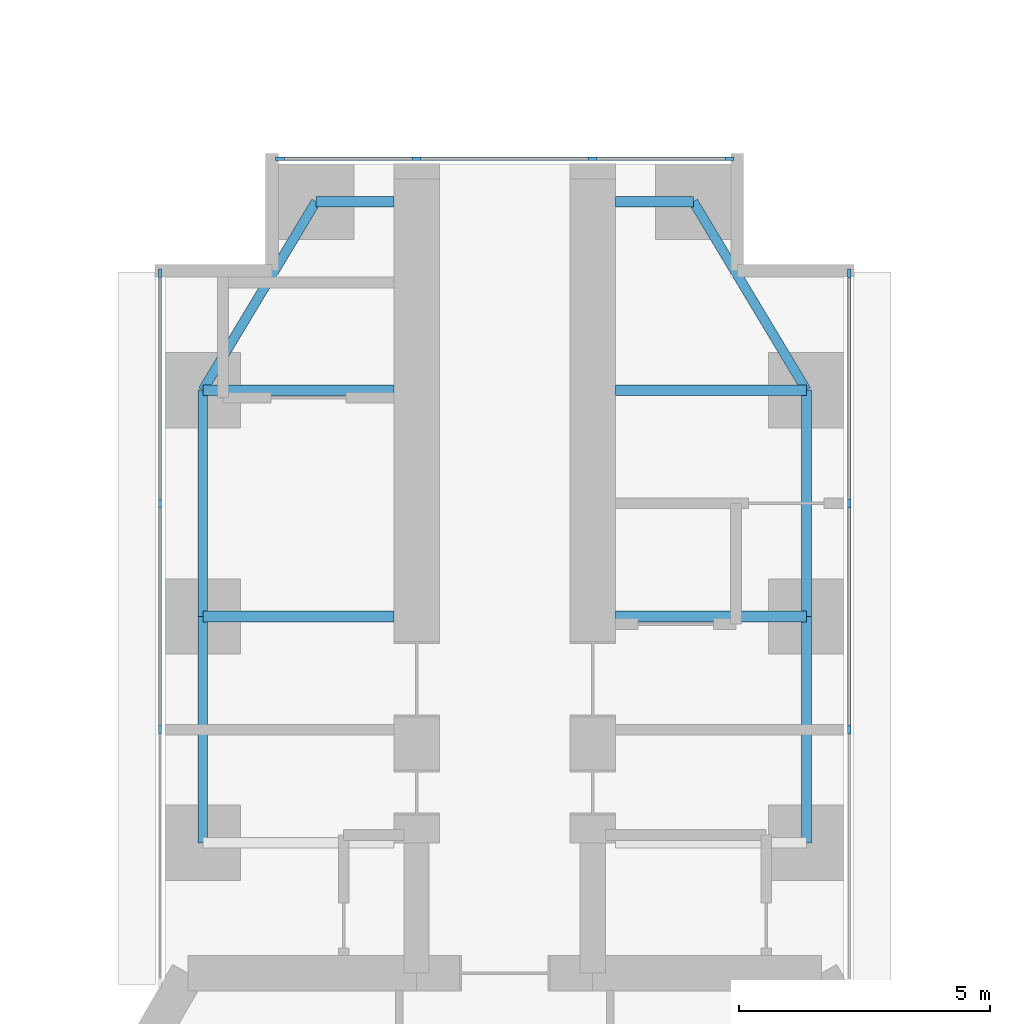
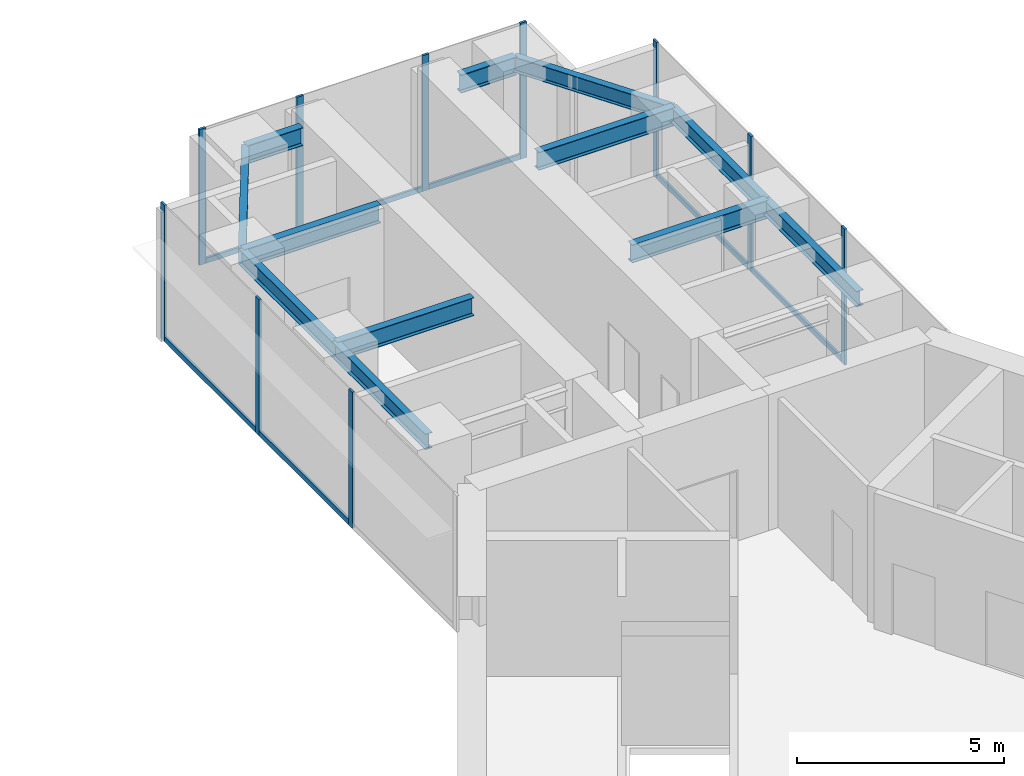
# One storey, part 13 of 22: 17 members, 12 beams, 3 elements without a shape of their own.
"""IFC4 building model written with IfcOpenShell, lengths in metres."""

from ifc_helpers import new_model, si_unit, direction, frame, origin, origin_2d, place, context, subcontext, project, spatial, rectangle, i_section, extrude, material, material_profile, profile_set, type_object, element, aggregate, save


model = new_model("IFC4")

# Units and contexts
model_context = context("Model", 3, precision=1e-05, world=origin(), true_north=direction((0.0, 1.0)))
body_context = subcontext(model_context, "Body", "Model", "MODEL_VIEW")
ifc_project = project(units=[si_unit("LENGTHUNIT", "METRE"), si_unit("AREAUNIT", "SQUARE_METRE"), si_unit("VOLUMEUNIT", "CUBIC_METRE"), si_unit("PLANEANGLEUNIT", "RADIAN"), si_unit("MASSUNIT", "GRAM", prefix="KILO")], contexts=[model_context])

# Site, building, storey
site_placement = place(None, origin())
site = spatial("IfcSite", under=ifc_project, at=site_placement, CompositionType="ELEMENT")
building_placement = place(site_placement, origin())
building = spatial("IfcBuilding", under=site, at=building_placement, Name="Upepo Twin Towers", CompositionType="ELEMENT")
storey_placement = place(building_placement, frame((0.0, 0.0, 44.5)))
storey = spatial("IfcBuildingStorey", under=building, at=storey_placement, Name="L10", CompositionType="ELEMENT", Elevation=44.5)

# Beams
ifc_material_1 = material(Name="Steel S355", Category="steel")
ifc_material_profile_1 = material_profile(ifc_material_1, i_section(OverallWidth=0.1904296875, OverallDepth=0.45703125, WebThickness=0.009033203125, FlangeThickness=0.014404296875, FilletRadius=0.01025390625, at=origin_2d()), Name="UB 457x191x74")
ifc_profile_set_1 = profile_set([ifc_material_profile_1], Name="Steel S355")
beam_type_1 = type_object("IfcBeamType", Name="Beam UB 457x191x74", PredefinedType="BEAM", material=ifc_profile_set_1)
for number, where, z_axis, x_axis, name in (
    (1, (52.5, -4.5, 3.571533203125), (0.0, 1.0, 0.0), (-1.0, 0.0, 0.0), "T2 edge beam AL 13.5-18.0"),
    (2, (52.5, 0.0, 3.571533203125), (0.0, 1.0, 0.0), (-1.0, 0.0, 0.0), "T2 edge beam AL 18.0-22.5"),
):
    element("IfcBeam", number, at=place(storey_placement, frame(where, z_axis=z_axis, x_axis=x_axis)), inside=storey, type_object=beam_type_1, Name=name, PredefinedType="BEAM", context=body_context, shape_type="SweptSolid", body=[
        extrude(i_section(OverallWidth=0.1904296875, OverallDepth=0.45703125, WebThickness=0.009033203125, FlangeThickness=0.014404296875, FilletRadius=0.01025390625, at=origin_2d()), origin(), (0.0, 0.0, 1.0), 4.5),
    ])
beam_1_placement = place(storey_placement, frame((52.5, 4.5, 3.571533203125), z_axis=(0.514495755428, 0.857492925713, 0.0), x_axis=(-0.857492925713, 0.514495755428, 0.0)))
element("IfcBeam", 3, at=beam_1_placement, inside=storey, type_object=beam_type_1, Name="T2 nose edge beam AL", PredefinedType="BEAM", context=body_context, shape_type="SweptSolid", body=[
    extrude(i_section(OverallWidth=0.1904296875, OverallDepth=0.45703125, WebThickness=0.009033203125, FlangeThickness=0.014404296875, FilletRadius=0.01025390625, at=origin_2d()), origin(), (0.0, 0.0, 1.0), 4.373291015625),
])
for number, where, z_axis, x_axis, name in (
    (4, (64.5, -4.5, 3.571533203125), (0.0, 1.0, 0.0), (-1.0, 0.0, 0.0), "T2 edge beam AR 13.5-18.0"),
    (5, (64.5, 0.0, 3.571533203125), (0.0, 1.0, 0.0), (-1.0, 0.0, 0.0), "T2 edge beam AR 18.0-22.5"),
):
    element("IfcBeam", number, at=place(storey_placement, frame(where, z_axis=z_axis, x_axis=x_axis)), inside=storey, type_object=beam_type_1, Name=name, PredefinedType="BEAM", context=body_context, shape_type="SweptSolid", body=[
        extrude(i_section(OverallWidth=0.1904296875, OverallDepth=0.45703125, WebThickness=0.009033203125, FlangeThickness=0.014404296875, FilletRadius=0.01025390625, at=origin_2d()), origin(), (0.0, 0.0, 1.0), 4.5),
    ])
beam_2_placement = place(storey_placement, frame((64.5, 4.5, 3.571533203125), z_axis=(-0.514495755428, 0.857492925713, 0.0), x_axis=(-0.857492925713, -0.514495755428, 0.0)))
element("IfcBeam", 6, at=beam_2_placement, inside=storey, type_object=beam_type_1, Name="T2 nose edge beam AR", PredefinedType="BEAM", context=body_context, shape_type="SweptSolid", body=[
    extrude(i_section(OverallWidth=0.1904296875, OverallDepth=0.45703125, WebThickness=0.009033203125, FlangeThickness=0.014404296875, FilletRadius=0.01025390625, at=origin_2d()), origin(), (0.0, 0.0, 1.0), 4.373291015625),
])
ifc_material_2 = material(Name="Steel S355", Category="steel")
ifc_material_profile_2 = material_profile(ifc_material_2, i_section(OverallWidth=0.2099609375, OverallDepth=0.53662109375, WebThickness=0.0107421875, FlangeThickness=0.017333984375, FilletRadius=0.0126953125, at=origin_2d()), Name="UB 533x210x101")
ifc_profile_set_2 = profile_set([ifc_material_profile_2], Name="Steel S355")
beam_type_2 = type_object("IfcBeamType", Name="Beam UB 533x210x101", PredefinedType="BEAM", material=ifc_profile_set_2)
for number, where, z_axis, x_axis, name in (
    (7, (54.75, 8.25, 3.53173828125), (1.0, 0.0, 0.0), (0.0, 1.0, 0.0), "T2 nose beam AL"),
    (8, (62.25, 8.25, 3.53173828125), (-1.0, 0.0, 0.0), (0.0, -1.0, 0.0), "T2 nose beam AR"),
):
    element("IfcBeam", number, at=place(storey_placement, frame(where, z_axis=z_axis, x_axis=x_axis)), inside=storey, type_object=beam_type_2, Name=name, PredefinedType="BEAM", context=body_context, shape_type="SweptSolid", body=[
        extrude(i_section(OverallWidth=0.2099609375, OverallDepth=0.53662109375, WebThickness=0.0107421875, FlangeThickness=0.017333984375, FilletRadius=0.0126953125, at=origin_2d()), origin(), (0.0, 0.0, 1.0), 1.550048828125),
    ])
ifc_material_3 = material(Name="Steel S355", Category="steel")
ifc_material_profile_3 = material_profile(ifc_material_3, i_section(OverallWidth=0.209228515625, OverallDepth=0.533203125, WebThickness=0.010009765625, FlangeThickness=0.015625, FilletRadius=0.0126953125, at=origin_2d()), Name="UB 533x210x92")
ifc_profile_set_3 = profile_set([ifc_material_profile_3], Name="Steel S355")
beam_type_3 = type_object("IfcBeamType", Name="Beam UB 533x210x92", PredefinedType="BEAM", material=ifc_profile_set_3)
for number, where, z_axis, x_axis, name in (
    (9, (52.5, 0.0, 3.533447265625), (1.0, 0.0, 0.0), (0.0, 1.0, 0.0), "T2 girder AL at 18.0"),
    (10, (52.5, 4.5, 3.533447265625), (1.0, 0.0, 0.0), (0.0, 1.0, 0.0), "T2 girder AL at 22.5"),
    (11, (64.5, 0.0, 3.533447265625), (-1.0, 0.0, 0.0), (0.0, -1.0, 0.0), "T2 girder AR at 18.0"),
    (12, (64.5, 4.5, 3.533447265625), (-1.0, 0.0, 0.0), (0.0, -1.0, 0.0), "T2 girder AR at 22.5"),
):
    element("IfcBeam", number, at=place(storey_placement, frame(where, z_axis=z_axis, x_axis=x_axis)), inside=storey, type_object=beam_type_3, Name=name, PredefinedType="BEAM", context=body_context, shape_type="SweptSolid", body=[
        extrude(i_section(OverallWidth=0.209228515625, OverallDepth=0.533203125, WebThickness=0.010009765625, FlangeThickness=0.015625, FilletRadius=0.0126953125, at=origin_2d()), origin(), (0.0, 0.0, 1.0), 3.800048828125),
    ])

# Curtain wall, members
ifc_material_4 = material(Name="Aluminium and fritted glass", Category="aluminium")
curtain_wall_type = type_object("IfcCurtainWallType", Name="Tower curtain wall TW1, fritted glass", PredefinedType="NOTDEFINED", material=ifc_material_4)
curtain_wall_1_placement = place(storey_placement, origin())
curtain_wall_1 = element("IfcCurtainWall", 13, at=curtain_wall_1_placement, inside=storey, type_object=curtain_wall_type, Name="T2 L10 wing A flank L curtain wall", PredefinedType="NOTDEFINED")
ifc_material_5 = material(Name="Aluminium mullion", Category="aluminium")
ifc_material_profile_4 = material_profile(ifc_material_5, rectangle(XDim=0.06494140625, YDim=0.179931640625, at=origin_2d()), Name="MULLION 65x180")
ifc_profile_set_4 = profile_set([ifc_material_profile_4], Name="Aluminium mullion")
member_type_1 = type_object("IfcMemberType", Name="Mullion 65x180 TW1", PredefinedType="MULLION", material=ifc_profile_set_4)
member_1_placement = place(storey_placement, frame((51.64990234375, -2.25, 0.0), z_axis=(0.0, 0.0, 1.0), x_axis=(-1.0, 0.0, 0.0)))
member_1 = element("IfcMember", 14, at=member_1_placement, type_object=member_type_1, Name="T2 L10 wing A flank L curtain wall mullion 2", PredefinedType="MULLION", context=body_context, shape_type="SweptSolid", body=[
    extrude(rectangle(XDim=0.06494140625, YDim=0.179931640625, at=origin_2d()), origin(), (0.0, 0.0, 1.0), 4.0),
])
member_2_placement = place(storey_placement, frame((51.64990234375, 2.25, 0.0), z_axis=(0.0, 0.0, 1.0), x_axis=(-1.0, 0.0, 0.0)))
member_2 = element("IfcMember", 15, at=member_2_placement, type_object=member_type_1, Name="T2 L10 wing A flank L curtain wall mullion 3", PredefinedType="MULLION", context=body_context, shape_type="SweptSolid", body=[
    extrude(rectangle(XDim=0.06494140625, YDim=0.179931640625, at=origin_2d()), origin(), (0.0, 0.0, 1.0), 4.0),
])
member_3_placement = place(storey_placement, frame((51.64990234375, 6.8173828125, 0.0), z_axis=(0.0, 0.0, 1.0), x_axis=(-1.0, 0.0, 0.0)))
member_3 = element("IfcMember", 16, at=member_3_placement, type_object=member_type_1, Name="T2 L10 wing A flank L curtain wall mullion 4", PredefinedType="MULLION", context=body_context, shape_type="SweptSolid", body=[
    extrude(rectangle(XDim=0.06494140625, YDim=0.179931640625, at=origin_2d()), origin(), (0.0, 0.0, 1.0), 4.0),
])

curtain_wall_2_placement = place(storey_placement, origin())
curtain_wall_2 = element("IfcCurtainWall", 17, at=curtain_wall_2_placement, inside=storey, type_object=curtain_wall_type, Name="T2 L10 wing A flank R curtain wall", PredefinedType="NOTDEFINED")
member_4_placement = place(storey_placement, frame((65.35009765625, 6.8173828125, 0.0), z_axis=(0.0, 0.0, 1.0), x_axis=(1.0, 0.0, 0.0)))
member_4 = element("IfcMember", 18, at=member_4_placement, type_object=member_type_1, Name="T2 L10 wing A flank R curtain wall mullion 1", PredefinedType="MULLION", context=body_context, shape_type="SweptSolid", body=[
    extrude(rectangle(XDim=0.06494140625, YDim=0.179931640625, at=origin_2d()), origin(), (0.0, 0.0, 1.0), 4.0),
])
member_5_placement = place(storey_placement, frame((65.35009765625, 2.25, 0.0), z_axis=(0.0, 0.0, 1.0), x_axis=(1.0, 0.0, 0.0)))
member_5 = element("IfcMember", 19, at=member_5_placement, type_object=member_type_1, Name="T2 L10 wing A flank R curtain wall mullion 2", PredefinedType="MULLION", context=body_context, shape_type="SweptSolid", body=[
    extrude(rectangle(XDim=0.06494140625, YDim=0.179931640625, at=origin_2d()), origin(), (0.0, 0.0, 1.0), 4.0),
])
member_6_placement = place(storey_placement, frame((65.35009765625, -2.25, 0.0), z_axis=(0.0, 0.0, 1.0), x_axis=(1.0, 0.0, 0.0)))
member_6 = element("IfcMember", 20, at=member_6_placement, type_object=member_type_1, Name="T2 L10 wing A flank R curtain wall mullion 3", PredefinedType="MULLION", context=body_context, shape_type="SweptSolid", body=[
    extrude(rectangle(XDim=0.06494140625, YDim=0.179931640625, at=origin_2d()), origin(), (0.0, 0.0, 1.0), 4.0),
])

curtain_wall_3_placement = place(storey_placement, origin())
curtain_wall_3 = element("IfcCurtainWall", 21, at=curtain_wall_3_placement, inside=storey, type_object=curtain_wall_type, Name="T2 L10 wing A nose curtain wall", PredefinedType="NOTDEFINED")
member_7_placement = place(storey_placement, frame((62.967529296875, 9.10009765625, 0.0), z_axis=(0.0, 0.0, 1.0), x_axis=(0.0, -1.0, 0.0)))
member_7 = element("IfcMember", 22, at=member_7_placement, type_object=member_type_1, Name="T2 L10 wing A nose curtain wall mullion 1", PredefinedType="MULLION", context=body_context, shape_type="SweptSolid", body=[
    extrude(rectangle(XDim=0.06494140625, YDim=0.179931640625, at=origin_2d()), origin(), (0.0, 0.0, 1.0), 4.0),
])
member_8_placement = place(storey_placement, frame((60.25, 9.10009765625, 0.0), z_axis=(0.0, 0.0, 1.0), x_axis=(0.0, -1.0, 0.0)))
member_8 = element("IfcMember", 23, at=member_8_placement, type_object=member_type_1, Name="T2 L10 wing A nose curtain wall mullion 2", PredefinedType="MULLION", context=body_context, shape_type="SweptSolid", body=[
    extrude(rectangle(XDim=0.06494140625, YDim=0.179931640625, at=origin_2d()), origin(), (0.0, 0.0, 1.0), 4.0),
])
member_9_placement = place(storey_placement, frame((56.75, 9.10009765625, 0.0), z_axis=(0.0, 0.0, 1.0), x_axis=(0.0, -1.0, 0.0)))
member_9 = element("IfcMember", 24, at=member_9_placement, type_object=member_type_1, Name="T2 L10 wing A nose curtain wall mullion 3", PredefinedType="MULLION", context=body_context, shape_type="SweptSolid", body=[
    extrude(rectangle(XDim=0.06494140625, YDim=0.179931640625, at=origin_2d()), origin(), (0.0, 0.0, 1.0), 4.0),
])
member_10_placement = place(storey_placement, frame((54.032470703125, 9.10009765625, 0.0), z_axis=(0.0, 0.0, 1.0), x_axis=(0.0, -1.0, 0.0)))
member_10 = element("IfcMember", 25, at=member_10_placement, type_object=member_type_1, Name="T2 L10 wing A nose curtain wall mullion 4", PredefinedType="MULLION", context=body_context, shape_type="SweptSolid", body=[
    extrude(rectangle(XDim=0.06494140625, YDim=0.179931640625, at=origin_2d()), origin(), (0.0, 0.0, 1.0), 4.0),
])

# Member
ifc_material_6 = material(Name="Aluminium transom", Category="aluminium")
ifc_material_profile_5 = material_profile(ifc_material_6, rectangle(XDim=0.06494140625, YDim=0.14990234375, at=origin_2d()), Name="TRANSOM 65x150")
ifc_profile_set_5 = profile_set([ifc_material_profile_5], Name="Aluminium transom")
member_type_2 = type_object("IfcMemberType", Name="Transom 65x150 TW1", PredefinedType="USERDEFINED", material=ifc_profile_set_5)
member_11_placement = place(storey_placement, frame((51.64990234375, -2.217529296875, 0.074951171875), z_axis=(0.0, 1.0, 0.0), x_axis=(-1.0, 0.0, 0.0)))
member_11 = element("IfcMember", 26, at=member_11_placement, type_object=member_type_2, Name="T2 L10 wing A flank L curtain wall transom 2", ObjectType="TRANSOM", PredefinedType="USERDEFINED", context=body_context, shape_type="SweptSolid", body=[
    extrude(rectangle(XDim=0.06494140625, YDim=0.14990234375, at=origin_2d()), origin(), (0.0, 0.0, 1.0), 4.43505859375),
])

member_12_placement = place(storey_placement, frame((51.64990234375, 2.282470703125, 0.074951171875), z_axis=(0.0, 1.0, 0.0), x_axis=(-1.0, 0.0, 0.0)))
member_12 = element("IfcMember", 27, at=member_12_placement, type_object=member_type_2, Name="T2 L10 wing A flank L curtain wall transom 3", ObjectType="TRANSOM", PredefinedType="USERDEFINED", context=body_context, shape_type="SweptSolid", body=[
    extrude(rectangle(XDim=0.06494140625, YDim=0.14990234375, at=origin_2d()), origin(), (0.0, 0.0, 1.0), 4.50244140625),
])

aggregate(curtain_wall_1, [member_1, member_2, member_3, member_11, member_12])

member_13_placement = place(storey_placement, frame((65.35009765625, 6.784912109375, 0.074951171875), z_axis=(0.0, -1.0, 0.0), x_axis=(1.0, 0.0, 0.0)))
member_13 = element("IfcMember", 28, at=member_13_placement, type_object=member_type_2, Name="T2 L10 wing A flank R curtain wall transom 1", ObjectType="TRANSOM", PredefinedType="USERDEFINED", context=body_context, shape_type="SweptSolid", body=[
    extrude(rectangle(XDim=0.06494140625, YDim=0.14990234375, at=origin_2d()), origin(), (0.0, 0.0, 1.0), 4.50244140625),
])

member_14_placement = place(storey_placement, frame((65.35009765625, 2.217529296875, 0.074951171875), z_axis=(0.0, -1.0, 0.0), x_axis=(1.0, 0.0, 0.0)))
member_14 = element("IfcMember", 29, at=member_14_placement, type_object=member_type_2, Name="T2 L10 wing A flank R curtain wall transom 2", ObjectType="TRANSOM", PredefinedType="USERDEFINED", context=body_context, shape_type="SweptSolid", body=[
    extrude(rectangle(XDim=0.06494140625, YDim=0.14990234375, at=origin_2d()), origin(), (0.0, 0.0, 1.0), 4.43505859375),
])

aggregate(curtain_wall_2, [member_4, member_5, member_6, member_13, member_14])

member_15_placement = place(storey_placement, frame((62.93505859375, 9.10009765625, 0.074951171875), z_axis=(-1.0, 0.0, 0.0), x_axis=(0.0, -1.0, 0.0)))
member_15 = element("IfcMember", 30, at=member_15_placement, type_object=member_type_2, Name="T2 L10 wing A nose curtain wall transom 1", ObjectType="TRANSOM", PredefinedType="USERDEFINED", context=body_context, shape_type="SweptSolid", body=[
    extrude(rectangle(XDim=0.06494140625, YDim=0.14990234375, at=origin_2d()), origin(), (0.0, 0.0, 1.0), 2.652587890625),
])

member_16_placement = place(storey_placement, frame((60.217529296875, 9.10009765625, 0.074951171875), z_axis=(-1.0, 0.0, 0.0), x_axis=(0.0, -1.0, 0.0)))
member_16 = element("IfcMember", 31, at=member_16_placement, type_object=member_type_2, Name="T2 L10 wing A nose curtain wall transom 2", ObjectType="TRANSOM", PredefinedType="USERDEFINED", context=body_context, shape_type="SweptSolid", body=[
    extrude(rectangle(XDim=0.06494140625, YDim=0.14990234375, at=origin_2d()), origin(), (0.0, 0.0, 1.0), 3.43505859375),
])

member_17_placement = place(storey_placement, frame((56.717529296875, 9.10009765625, 0.074951171875), z_axis=(-1.0, 0.0, 0.0), x_axis=(0.0, -1.0, 0.0)))
member_17 = element("IfcMember", 32, at=member_17_placement, type_object=member_type_2, Name="T2 L10 wing A nose curtain wall transom 3", ObjectType="TRANSOM", PredefinedType="USERDEFINED", context=body_context, shape_type="SweptSolid", body=[
    extrude(rectangle(XDim=0.06494140625, YDim=0.14990234375, at=origin_2d()), origin(), (0.0, 0.0, 1.0), 2.652587890625),
])

aggregate(curtain_wall_3, [member_7, member_8, member_9, member_10, member_15, member_16, member_17])

save(model, "model.ifc")
